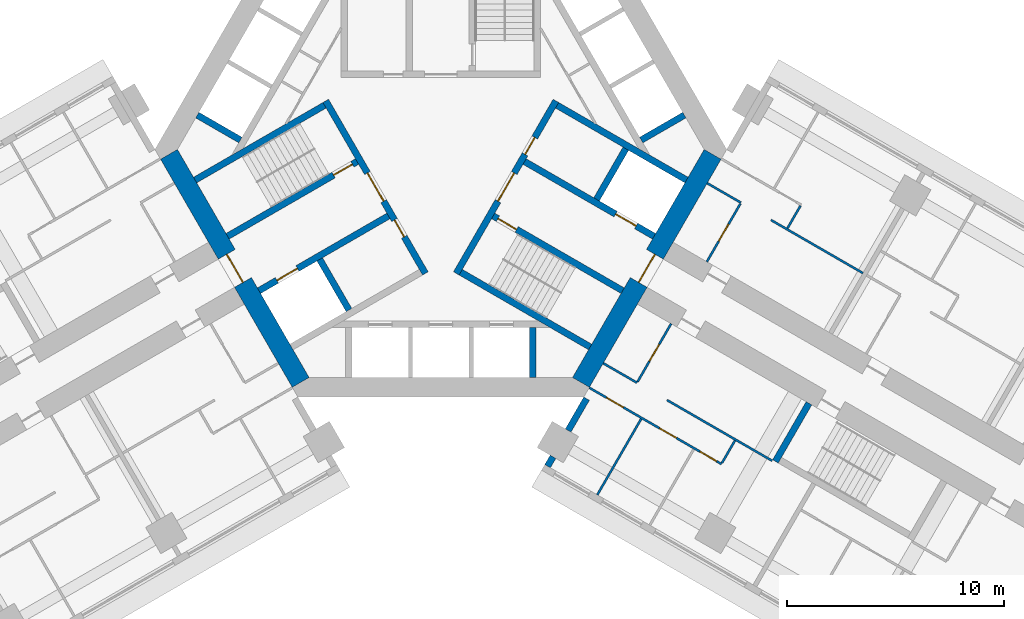
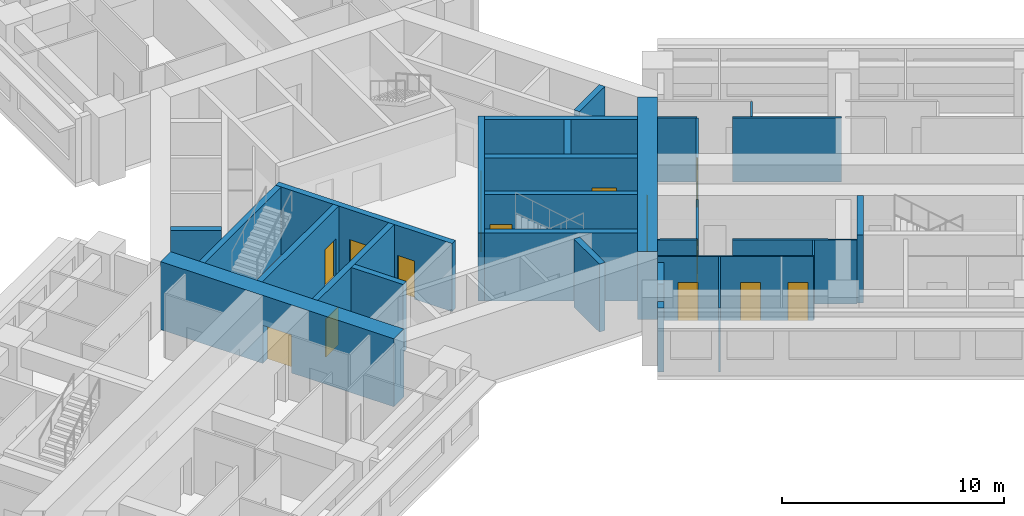
# One storey, part 7 of 16: 29 walls, 15 doors, 15 openings.
"""IFC4 building model written with IfcOpenShell, lengths in metres."""

from ifc_helpers import new_model, si_unit, direction, frame, frame_2d, origin, place, context, subcontext, project, spatial, rectangle, extrude, material, layer, layer_set, type_object, element, fill, save


model = new_model("IFC4")

# Units and contexts
model_context = context("Model", 3, precision=1e-05, world=origin(), true_north=direction((0.0, 1.0)))
body_context = subcontext(model_context, "Body", "Model", "MODEL_VIEW")
ifc_project = project(units=[si_unit("LENGTHUNIT", "METRE"), si_unit("AREAUNIT", "SQUARE_METRE"), si_unit("VOLUMEUNIT", "CUBIC_METRE"), si_unit("PLANEANGLEUNIT", "RADIAN"), si_unit("MASSUNIT", "GRAM", prefix="KILO")], contexts=[model_context])

# Site, building, storey
site_placement = place(None, origin())
site = spatial("IfcSite", under=ifc_project, at=site_placement, CompositionType="ELEMENT")
building_placement = place(site_placement, origin())
building = spatial("IfcBuilding", under=site, at=building_placement, Name="Impinga Residences", CompositionType="ELEMENT")
storey_placement = place(building_placement, frame((0.0, 0.0, 78.5)))
storey = spatial("IfcBuildingStorey", under=building, at=storey_placement, Name="L19", CompositionType="ELEMENT", Elevation=78.5)

# Walls
ifc_material_1 = material(Name="Terracotta rainscreen on blockwork", Category="masonry")
ifc_layer_1 = layer(ifc_material_1, 0.300048828125)
ifc_layer_set_1 = layer_set([ifc_layer_1], Name="EW1 external wall, terracotta rainscreen on blockwork 300")
wall_type_1 = type_object("IfcWallType", Name="EW1 external wall, terracotta rainscreen on blockwork 300", PredefinedType="SOLIDWALL", material=ifc_layer_set_1)
wall_1_placement = place(storey_placement, frame((4.929931640625, -14.624267578125, 0.0), z_axis=(0.0, 0.0, 1.0), x_axis=(0.499919672301, 0.866071776036, 0.0)))
element("IfcWall", 1, at=wall_1_placement, inside=storey, type_object=wall_type_1, Name="External wall EW1 L19", PredefinedType="SOLIDWALL", context=body_context, shape_type="SweptSolid", body=[
    extrude(rectangle(XDim=0.5, YDim=0.300048828125, at=frame_2d((0.25, 0.0))), origin(), (0.0, 0.0, 1.0), 3.530029296875),
])
wall_2_placement = place(storey_placement, frame((5.8798828125, -12.978759765625, 0.0), z_axis=(0.0, 0.0, 1.0), x_axis=(0.500062241894, 0.865989465428, 0.0)))
element("IfcWall", 2, at=wall_2_placement, inside=storey, type_object=wall_type_1, Name="External wall EW1 L19", PredefinedType="SOLIDWALL", context=body_context, shape_type="SweptSolid", body=[
    extrude(rectangle(XDim=1.699951171875, YDim=0.300048828125, at=frame_2d((0.85009765625, 0.0))), origin(), (0.0, 0.0, 1.0), 3.530029296875),
])
ifc_material_2 = material(Name="Gypsum board on steel studs", Category="steel")
ifc_layer_2 = layer(ifc_material_2, 0.10009765625)
ifc_layer_set_2 = layer_set([ifc_layer_2], Name="Gypsum board on steel studs")
wall_type_2 = type_object("IfcWallType", Name="IP1 partition 100", PredefinedType="PARTITIONING", material=ifc_layer_set_2)
wall_3_placement = place(storey_placement, frame((12.300048828125, -1.558837890625, 0.0), z_axis=(0.0, 0.0, 1.0), x_axis=(0.866047807691, -0.499961193289, 0.0)))
element("IfcWall", 3, at=wall_3_placement, inside=storey, type_object=wall_type_2, Name="Partition L19-EA1:DIV0", PredefinedType="PARTITIONING", context=body_context, shape_type="SweptSolid", body=[
    extrude(rectangle(XDim=1.800048828125, YDim=0.10009765625, at=frame_2d((0.89990234375, 0.0))), origin(), (0.0, 0.0, 1.0), 3.530029296875),
])
wall_4_placement = place(storey_placement, frame((15.244384765625, -3.2587890625, 0.0), z_axis=(0.0, 0.0, 1.0), x_axis=(0.866036242063, -0.49998122708, 0.0)))
element("IfcWall", 4, at=wall_4_placement, inside=storey, type_object=wall_type_2, Name="Partition L19-EA1:DIV1", PredefinedType="PARTITIONING", context=body_context, shape_type="SweptSolid", body=[
    extrude(rectangle(XDim=4.900146484375, YDim=0.10009765625, at=frame_2d((2.4501953125, 0.0))), origin(), (0.0, 0.0, 1.0), 3.530029296875),
])
wall_5_placement = place(storey_placement, frame((16.005615234375, -3.640625, 0.0), z_axis=(0.0, 0.0, 1.0), x_axis=(0.500033551112, 0.866006032174, 0.0)))
element("IfcWall", 5, at=wall_5_placement, inside=storey, type_object=wall_type_2, Name="Partition L19-EA1:SE1", PredefinedType="PARTITIONING", context=body_context, shape_type="SweptSolid", body=[
    extrude(rectangle(XDim=1.2001953125, YDim=0.10009765625, at=frame_2d((0.60009765625, 0.0))), origin(), (0.0, 0.0, 1.0), 3.530029296875),
])

# Wall, opening, door
wall_6_placement = place(storey_placement, frame((12.283935546875, -5.186767578125, 0.0), z_axis=(0.0, 0.0, 1.0), x_axis=(0.499967891604, 0.866043940782, 0.0)))
wall_6 = element("IfcWall", 6, at=wall_6_placement, inside=storey, type_object=wall_type_2, Name="Partition L19-EA1:IB1", PredefinedType="PARTITIONING", context=body_context, shape_type="SweptSolid", body=[
    extrude(rectangle(XDim=3.099853515625, YDim=0.10009765625, at=frame_2d((1.5498046875, 0.0))), origin(), (0.0, 0.0, 1.0), 3.530029296875),
])
opening_1_placement = place(wall_6_placement, frame((1.10009765625, 0.0, 0.0)))
opening_1 = element("IfcOpeningElement", 7, at=opening_1_placement, cuts=wall_6, Name="Opening D2", PredefinedType="OPENING", context=body_context, shape_type="SweptSolid", body=[
    extrude(rectangle(XDim=0.89990234375, YDim=2.10009765625, at=frame_2d((0.449951171875, 1.050048828125))), frame((0.0, 0.06005859375, 0.0), z_axis=(0.0, -1.0, 0.0), x_axis=(1.0, 0.0, 0.0)), (0.0, 0.0, 1.0), 0.1201171875),
])
ifc_material_3 = material(Name="Timber door set", Category="wood")
door_type_1 = type_object("IfcDoorType", Name="D2 internal door 900x2100", OperationType="SINGLE_SWING_LEFT", PredefinedType="DOOR", material=ifc_material_3)
door_1_placement = place(opening_1_placement, origin())
door_1 = element("IfcDoor", 8, at=door_1_placement, inside=storey, type_object=door_type_1, Name="Apartment L19-EA1 bathroom door", OperationType="SINGLE_SWING_LEFT", OverallHeight=2.10009765625, OverallWidth=0.89990234375, PredefinedType="DOOR", context=body_context, shape_type="SweptSolid", body=[
    extrude(rectangle(XDim=0.89990234375, YDim=2.10009765625, at=frame_2d((0.449951171875, 1.050048828125))), frame((0.0, 0.02490234375, 0.0), z_axis=(0.0, -1.0, 0.0), x_axis=(1.0, 0.0, 0.0)), (0.0, 0.0, 1.0), 0.050048828125),
])
fill(opening_1, door_1)

# Walls
wall_7_placement = place(storey_placement, frame((7.5, -9.872802734375, 0.0), z_axis=(0.0, 0.0, 1.0), x_axis=(0.866047807691, -0.499961193289, 0.0)))
element("IfcWall", 9, at=wall_7_placement, inside=storey, type_object=wall_type_2, Name="Partition L19-EF1:DIV0", PredefinedType="PARTITIONING", context=body_context, shape_type="SweptSolid", body=[
    extrude(rectangle(XDim=1.800048828125, YDim=0.10009765625, at=frame_2d((0.89990234375, 0.0))), origin(), (0.0, 0.0, 1.0), 3.530029296875),
])
wall_8_placement = place(storey_placement, frame((10.444580078125, -11.57275390625, 0.0), z_axis=(0.0, 0.0, 1.0), x_axis=(0.866015695474, -0.500016814911, 0.0)))
element("IfcWall", 10, at=wall_8_placement, inside=storey, type_object=wall_type_2, Name="Partition L19-EF1:DIV1", PredefinedType="PARTITIONING", context=body_context, shape_type="SweptSolid", body=[
    extrude(rectangle(XDim=5.599853515625, YDim=0.10009765625, at=frame_2d((2.7998046875, 0.0))), origin(), (0.0, 0.0, 1.0), 3.530029296875),
])

# Wall, openings, doors
wall_9_placement = place(storey_placement, frame((6.85009765625, -10.99853515625, 0.0), z_axis=(0.0, 0.0, 1.0), x_axis=(0.866031034943, -0.499990246421, 0.0)))
wall_9 = element("IfcWall", 11, at=wall_9_placement, inside=storey, type_object=wall_type_2, Name="Partition L19-EF1:STRIP", PredefinedType="PARTITIONING", context=body_context, shape_type="SweptSolid", body=[
    extrude(rectangle(XDim=7.050048828125, YDim=0.10009765625, at=frame_2d((3.52490234375, 0.0))), origin(), (0.0, 0.0, 1.0), 3.530029296875),
])
opening_2_placement = place(wall_9_placement, frame((0.925048828125, 0.0, 0.0)))
opening_2 = element("IfcOpeningElement", 12, at=opening_2_placement, cuts=wall_9, Name="Opening D2", PredefinedType="OPENING", context=body_context, shape_type="SweptSolid", body=[
    extrude(rectangle(XDim=0.89990234375, YDim=2.10009765625, at=frame_2d((0.449951171875, 1.050048828125))), frame((0.0, 0.06005859375, 0.0), z_axis=(0.0, -1.0, 0.0), x_axis=(1.0, 0.0, 0.0)), (0.0, 0.0, 1.0), 0.1201171875),
])
opening_3_placement = place(wall_9_placement, frame((3.75, 0.0, 0.0)))
opening_3 = element("IfcOpeningElement", 13, at=opening_3_placement, cuts=wall_9, Name="Opening D2", PredefinedType="OPENING", context=body_context, shape_type="SweptSolid", body=[
    extrude(rectangle(XDim=0.89990234375, YDim=2.10009765625, at=frame_2d((0.449951171875, 1.050048828125))), frame((0.0, 0.06005859375, 0.0), z_axis=(0.0, -1.0, 0.0), x_axis=(1.0, 0.0, 0.0)), (0.0, 0.0, 1.0), 0.1201171875),
])
opening_4_placement = place(wall_9_placement, frame((5.89990234375, 0.0, 0.0)))
opening_4 = element("IfcOpeningElement", 14, at=opening_4_placement, cuts=wall_9, Name="Opening D2", PredefinedType="OPENING", context=body_context, shape_type="SweptSolid", body=[
    extrude(rectangle(XDim=0.89990234375, YDim=2.10009765625, at=frame_2d((0.449951171875, 1.050048828125))), frame((0.0, 0.06005859375, 0.0), z_axis=(0.0, -1.0, 0.0), x_axis=(1.0, 0.0, 0.0)), (0.0, 0.0, 1.0), 0.1201171875),
])
door_2_placement = place(opening_2_placement, origin())
door_2 = element("IfcDoor", 15, at=door_2_placement, inside=storey, type_object=door_type_1, Name="Apartment L19-EF1 room door", OperationType="SINGLE_SWING_LEFT", OverallHeight=2.10009765625, OverallWidth=0.89990234375, PredefinedType="DOOR", context=body_context, shape_type="SweptSolid", body=[
    extrude(rectangle(XDim=0.89990234375, YDim=2.10009765625, at=frame_2d((0.449951171875, 1.050048828125))), frame((0.0, 0.02490234375, 0.0), z_axis=(0.0, -1.0, 0.0), x_axis=(1.0, 0.0, 0.0)), (0.0, 0.0, 1.0), 0.050048828125),
])
fill(opening_2, door_2)
door_3_placement = place(opening_3_placement, origin())
door_3 = element("IfcDoor", 16, at=door_3_placement, inside=storey, type_object=door_type_1, Name="Apartment L19-EF1 room door", OperationType="SINGLE_SWING_RIGHT", OverallHeight=2.10009765625, OverallWidth=0.89990234375, PredefinedType="DOOR", context=body_context, shape_type="SweptSolid", body=[
    extrude(rectangle(XDim=0.89990234375, YDim=2.10009765625, at=frame_2d((0.449951171875, 1.050048828125))), frame((0.0, 0.02490234375, 0.0), z_axis=(0.0, -1.0, 0.0), x_axis=(1.0, 0.0, 0.0)), (0.0, 0.0, 1.0), 0.050048828125),
])
fill(opening_3, door_3)
door_4_placement = place(opening_4_placement, origin())
door_4 = element("IfcDoor", 17, at=door_4_placement, inside=storey, type_object=door_type_1, Name="Apartment L19-EF1 room door", OperationType="SINGLE_SWING_RIGHT", OverallHeight=2.10009765625, OverallWidth=0.89990234375, PredefinedType="DOOR", context=body_context, shape_type="SweptSolid", body=[
    extrude(rectangle(XDim=0.89990234375, YDim=2.10009765625, at=frame_2d((0.449951171875, 1.050048828125))), frame((0.0, 0.02490234375, 0.0), z_axis=(0.0, -1.0, 0.0), x_axis=(1.0, 0.0, 0.0)), (0.0, 0.0, 1.0), 0.050048828125),
])
fill(opening_4, door_4)

# Wall
wall_10_placement = place(storey_placement, frame((13.58056640625, -13.44091796875, 0.0), z_axis=(0.0, 0.0, 1.0), x_axis=(-0.500033551112, -0.866006032174, 0.0)))
element("IfcWall", 18, at=wall_10_placement, inside=storey, type_object=wall_type_2, Name="Partition L19-EF1:SE1", PredefinedType="PARTITIONING", context=body_context, shape_type="SweptSolid", body=[
    extrude(rectangle(XDim=1.2001953125, YDim=0.10009765625, at=frame_2d((0.60009765625, 0.0))), origin(), (0.0, 0.0, 1.0), 3.530029296875),
])

# Wall, opening, door
wall_11_placement = place(storey_placement, frame((10.6337890625, -8.044677734375, 0.0), z_axis=(0.0, 0.0, 1.0), x_axis=(-0.49999285859, -0.86602952684, 0.0)))
wall_11 = element("IfcWall", 19, at=wall_11_placement, inside=storey, type_object=wall_type_2, Name="Partition L19-EF1:IB1", PredefinedType="PARTITIONING", context=body_context, shape_type="SweptSolid", body=[
    extrude(rectangle(XDim=3.10009765625, YDim=0.10009765625, at=frame_2d((1.550048828125, 0.0))), origin(), (0.0, 0.0, 1.0), 3.530029296875),
])
opening_5_placement = place(wall_11_placement, frame((1.10009765625, 0.0, 0.0)))
opening_5 = element("IfcOpeningElement", 20, at=opening_5_placement, cuts=wall_11, Name="Opening D2", PredefinedType="OPENING", context=body_context, shape_type="SweptSolid", body=[
    extrude(rectangle(XDim=0.89990234375, YDim=2.10009765625, at=frame_2d((0.449951171875, 1.050048828125))), frame((0.0, 0.06005859375, 0.0), z_axis=(0.0, -1.0, 0.0), x_axis=(1.0, 0.0, 0.0)), (0.0, 0.0, 1.0), 0.1201171875),
])
door_5_placement = place(opening_5_placement, origin())
door_5 = element("IfcDoor", 21, at=door_5_placement, inside=storey, type_object=door_type_1, Name="Apartment L19-EF1 bathroom door", OperationType="SINGLE_SWING_LEFT", OverallHeight=2.10009765625, OverallWidth=0.89990234375, PredefinedType="DOOR", context=body_context, shape_type="SweptSolid", body=[
    extrude(rectangle(XDim=0.89990234375, YDim=2.10009765625, at=frame_2d((0.449951171875, 1.050048828125))), frame((0.0, 0.02490234375, 0.0), z_axis=(0.0, -1.0, 0.0), x_axis=(1.0, 0.0, 0.0)), (0.0, 0.0, 1.0), 0.050048828125),
])
fill(opening_5, door_5)

# Walls
wall_12_placement = place(storey_placement, frame((9.249755859375, -12.44189453125, 0.0), z_axis=(0.0, 0.0, 1.0), x_axis=(-0.499990325971, -0.866030989016, 0.0)))
element("IfcWall", 22, at=wall_12_placement, inside=storey, type_object=wall_type_2, Name="Partition L19-EF1:OB1", PredefinedType="PARTITIONING", context=body_context, shape_type="SweptSolid", body=[
    extrude(rectangle(XDim=4.0498046875, YDim=0.10009765625, at=frame_2d((2.02490234375, 0.0))), origin(), (0.0, 0.0, 1.0), 3.530029296875),
])
ifc_material_4 = material(Name="Concrete C60/75", Category="concrete")
ifc_layer_3 = layer(ifc_material_4, 0.300048828125)
ifc_layer_set_3 = layer_set([ifc_layer_3], Name="Concrete C60/75")
wall_type_3 = type_object("IfcWallType", Name="SE1 wing stair enclosure wall 300", PredefinedType="SOLIDWALL", material=ifc_layer_set_3)
wall_13_placement = place(storey_placement, frame((16.9990234375, -11.7197265625, 0.0), z_axis=(0.0, 0.0, 1.0), x_axis=(-0.499967891604, -0.866043940782, 0.0)))
element("IfcWall", 23, at=wall_13_placement, inside=storey, type_object=wall_type_3, Name="Stair enclosure wall SE1 E END0 L19", PredefinedType="SOLIDWALL", context=body_context, shape_type="SweptSolid", body=[
    extrude(rectangle(XDim=3.099853515625, YDim=0.300048828125, at=frame_2d((1.5498046875, 0.0))), origin(), (0.0, 0.0, 1.0), 3.75),
])

# Wall, opening, door
ifc_material_5 = material(Name="Concrete C70/85", Category="concrete")
ifc_layer_4 = layer(ifc_material_5, 0.89990234375)
ifc_layer_set_4 = layer_set([ifc_layer_4], Name="Concrete C70/85")
wall_type_4 = type_object("IfcWallType", Name="SW1 core wall 900", PredefinedType="SHEAR", material=ifc_layer_set_4)
wall_14_placement = place(storey_placement, frame((-6.47021484375, -10.756591796875, 0.0), z_axis=(0.0, 0.0, 1.0), x_axis=(-0.499997612506, 0.8660267822, 0.0)))
wall_14 = element("IfcWall", 24, at=wall_14_placement, inside=storey, type_object=wall_type_4, Name="Core wall SW1 W:FACE L19", PredefinedType="SHEAR", context=body_context, shape_type="SweptSolid", body=[
    extrude(rectangle(XDim=12.16064453125, YDim=0.89990234375, at=frame_2d((6.080322265625, 0.0))), origin(), (0.0, 0.0, 1.0), 3.75),
])
opening_6_placement = place(wall_14_placement, frame((5.330322265625, 0.0, 0.0)))
opening_6 = element("IfcOpeningElement", 25, at=opening_6_placement, cuts=wall_14, Name="Opening D4", PredefinedType="OPENING", context=body_context, shape_type="SweptSolid", body=[
    extrude(rectangle(XDim=1.5, YDim=2.10009765625, at=frame_2d((0.75, 1.050048828125))), frame((0.0, 0.4599609375, 0.0), z_axis=(0.0, -1.0, 0.0), x_axis=(1.0, 0.0, 0.0)), (0.0, 0.0, 1.0), 0.919921875),
])
door_type_2 = type_object("IfcDoorType", Name="D4 lobby door pair 1500x2100", OperationType="DOUBLE_DOOR_DOUBLE_SWING", PredefinedType="DOOR", material=ifc_material_3)
door_6_placement = place(opening_6_placement, origin())
door_6 = element("IfcDoor", 26, at=door_6_placement, inside=storey, type_object=door_type_2, Name="Lobby door W", OperationType="DOUBLE_DOOR_DOUBLE_SWING", OverallHeight=2.10009765625, OverallWidth=1.5, PredefinedType="DOOR", context=body_context, shape_type="SweptSolid", body=[
    extrude(rectangle(XDim=1.5, YDim=2.10009765625, at=frame_2d((0.75, 1.050048828125))), frame((0.0, 0.02490234375, 0.0), z_axis=(0.0, -1.0, 0.0), x_axis=(1.0, 0.0, 0.0)), (0.0, 0.0, 1.0), 0.050048828125),
])
fill(opening_6, door_6)

wall_15_placement = place(storey_placement, frame((12.550537109375, -0.22509765625, 0.0), z_axis=(0.0, 0.0, 1.0), x_axis=(-0.499997612506, -0.8660267822, 0.0)))
wall_15 = element("IfcWall", 27, at=wall_15_placement, inside=storey, type_object=wall_type_4, Name="Core wall SW1 E:FACE L19", PredefinedType="SHEAR", context=body_context, shape_type="SweptSolid", body=[
    extrude(rectangle(XDim=12.16064453125, YDim=0.89990234375, at=frame_2d((6.080322265625, 0.0))), origin(), (0.0, 0.0, 1.0), 3.75),
])
opening_7_placement = place(wall_15_placement, frame((5.330322265625, 0.0, 0.0)))
opening_7 = element("IfcOpeningElement", 28, at=opening_7_placement, cuts=wall_15, Name="Opening D4", PredefinedType="OPENING", context=body_context, shape_type="SweptSolid", body=[
    extrude(rectangle(XDim=1.5, YDim=2.10009765625, at=frame_2d((0.75, 1.050048828125))), frame((0.0, 0.4599609375, 0.0), z_axis=(0.0, -1.0, 0.0), x_axis=(1.0, 0.0, 0.0)), (0.0, 0.0, 1.0), 0.919921875),
])
door_7_placement = place(opening_7_placement, origin())
door_7 = element("IfcDoor", 29, at=door_7_placement, inside=storey, type_object=door_type_2, Name="Lobby door E", OperationType="DOUBLE_DOOR_DOUBLE_SWING", OverallHeight=2.10009765625, OverallWidth=1.5, PredefinedType="DOOR", context=body_context, shape_type="SweptSolid", body=[
    extrude(rectangle(XDim=1.5, YDim=2.10009765625, at=frame_2d((0.75, 1.050048828125))), frame((0.0, 0.02490234375, 0.0), z_axis=(0.0, -1.0, 0.0), x_axis=(1.0, 0.0, 0.0)), (0.0, 0.0, 1.0), 0.050048828125),
])
fill(opening_7, door_7)

# Wall, openings, doors
ifc_layer_5 = layer(ifc_material_5, 0.300048828125)
ifc_layer_set_5 = layer_set([ifc_layer_5], Name="Concrete C70/85")
wall_type_5 = type_object("IfcWallType", Name="SW5 core inner wall, stairs, shafts and lobbies 300", PredefinedType="SHEAR", material=ifc_layer_set_5)
wall_16_placement = place(storey_placement, frame((-0.7138671875, -5.7236328125, 0.0), z_axis=(0.0, 0.0, 1.0), x_axis=(-0.499995050369, 0.866028261437, 0.0)))
wall_16 = element("IfcWall", 30, at=wall_16_placement, inside=storey, type_object=wall_type_5, Name="Core wall SW5 W:ZONE L19", PredefinedType="SHEAR", context=body_context, shape_type="SweptSolid", body=[
    extrude(rectangle(XDim=9.19970703125, YDim=0.300048828125, at=frame_2d((4.599853515625, 0.0))), origin(), (0.0, 0.0, 1.0), 3.75),
])
opening_8_placement = place(wall_16_placement, frame((3.85009765625, 0.0, 0.0)))
opening_8 = element("IfcOpeningElement", 31, at=opening_8_placement, cuts=wall_16, Name="Opening D4", PredefinedType="OPENING", context=body_context, shape_type="SweptSolid", body=[
    extrude(rectangle(XDim=1.5, YDim=2.10009765625, at=frame_2d((0.75, 1.050048828125))), frame((0.0, 0.159912109375, 0.0), z_axis=(0.0, -1.0, 0.0), x_axis=(1.0, 0.0, 0.0)), (0.0, 0.0, 1.0), 0.320068359375),
])
opening_9_placement = place(wall_16_placement, frame((1.949951171875, 0.0, 0.0)))
opening_9 = element("IfcOpeningElement", 32, at=opening_9_placement, cuts=wall_16, Name="Opening D6", PredefinedType="OPENING", context=body_context, shape_type="SweptSolid", body=[
    extrude(rectangle(XDim=0.89990234375, YDim=2.10009765625, at=frame_2d((0.449951171875, 1.050048828125))), frame((0.0, 0.159912109375, 0.0), z_axis=(0.0, -1.0, 0.0), x_axis=(1.0, 0.0, 0.0)), (0.0, 0.0, 1.0), 0.320068359375),
])
door_8_placement = place(opening_8_placement, origin())
door_8 = element("IfcDoor", 33, at=door_8_placement, inside=storey, type_object=door_type_2, Name="Firefighting lobby door W", OperationType="DOUBLE_DOOR_DOUBLE_SWING", OverallHeight=2.10009765625, OverallWidth=1.5, PredefinedType="DOOR", context=body_context, shape_type="SweptSolid", body=[
    extrude(rectangle(XDim=1.5, YDim=2.10009765625, at=frame_2d((0.75, 1.050048828125))), frame((0.0, 0.02490234375, 0.0), z_axis=(0.0, -1.0, 0.0), x_axis=(1.0, 0.0, 0.0)), (0.0, 0.0, 1.0), 0.050048828125),
])
fill(opening_8, door_8)
door_type_3 = type_object("IfcDoorType", Name="D6 riser and store door 900x2100", OperationType="SINGLE_SWING_LEFT", PredefinedType="DOOR", material=ifc_material_3)
door_9_placement = place(opening_9_placement, origin())
door_9 = element("IfcDoor", 34, at=door_9_placement, inside=storey, type_object=door_type_3, Name="Riser door W", OperationType="SINGLE_SWING_LEFT", OverallHeight=2.10009765625, OverallWidth=0.89990234375, PredefinedType="DOOR", context=body_context, shape_type="SweptSolid", body=[
    extrude(rectangle(XDim=0.89990234375, YDim=2.10009765625, at=frame_2d((0.449951171875, 1.050048828125))), frame((0.0, 0.02490234375, 0.0), z_axis=(0.0, -1.0, 0.0), x_axis=(1.0, 0.0, 0.0)), (0.0, 0.0, 1.0), 0.050048828125),
])
fill(opening_9, door_9)

# Wall, opening, door
wall_17_placement = place(storey_placement, frame((-3.86865234375, -0.559326171875, 0.0), z_axis=(0.0, 0.0, 1.0), x_axis=(-0.86602711848, -0.499997030048, 0.0)))
wall_17 = element("IfcWall", 35, at=wall_17_placement, inside=storey, type_object=wall_type_5, Name="Core wall SW5 W:ST-IN L19", PredefinedType="SHEAR", context=body_context, shape_type="SweptSolid", body=[
    extrude(rectangle(XDim=6.9013671875, YDim=0.300048828125, at=frame_2d((3.45068359375, 0.0))), origin(), (0.0, 0.0, 1.0), 3.75),
])
opening_10_placement = place(wall_17_placement, frame((0.25, 0.0, 0.0)))
opening_10 = element("IfcOpeningElement", 36, at=opening_10_placement, cuts=wall_17, Name="Opening D5", PredefinedType="OPENING", context=body_context, shape_type="SweptSolid", body=[
    extrude(rectangle(XDim=1.0, YDim=2.10009765625, at=frame_2d((0.5, 1.050048828125))), frame((0.0, 0.159912109375, 0.0), z_axis=(0.0, -1.0, 0.0), x_axis=(1.0, 0.0, 0.0)), (0.0, 0.0, 1.0), 0.320068359375),
])
door_type_4 = type_object("IfcDoorType", Name="D5 stair door 1000x2100", OperationType="SINGLE_SWING_LEFT", PredefinedType="DOOR", material=ifc_material_3)
door_10_placement = place(opening_10_placement, origin())
door_10 = element("IfcDoor", 37, at=door_10_placement, inside=storey, type_object=door_type_4, Name="Stair door W", OperationType="SINGLE_SWING_LEFT", OverallHeight=2.10009765625, OverallWidth=1.0, PredefinedType="DOOR", context=body_context, shape_type="SweptSolid", body=[
    extrude(rectangle(XDim=1.0, YDim=2.10009765625, at=frame_2d((0.5, 1.050048828125))), frame((0.0, 0.02490234375, 0.0), z_axis=(0.0, -1.0, 0.0), x_axis=(1.0, 0.0, 0.0)), (0.0, 0.0, 1.0), 0.050048828125),
])
fill(opening_10, door_10)

# Wall
wall_18_placement = place(storey_placement, frame((-5.36865234375, 2.038818359375, 0.0), z_axis=(0.0, 0.0, 1.0), x_axis=(-0.86602711848, -0.499997030048, 0.0)))
element("IfcWall", 38, at=wall_18_placement, inside=storey, type_object=wall_type_5, Name="Core wall SW5 W:ST-OUT L19", PredefinedType="SHEAR", context=body_context, shape_type="SweptSolid", body=[
    extrude(rectangle(XDim=6.9013671875, YDim=0.300048828125, at=frame_2d((3.45068359375, 0.0))), origin(), (0.0, 0.0, 1.0), 3.75),
])

# Wall, opening, door
wall_19_placement = place(storey_placement, frame((-2.418701171875, -3.07080078125, 0.0), z_axis=(0.0, 0.0, 1.0), x_axis=(-0.86602711848, -0.499997030048, 0.0)))
wall_19 = element("IfcWall", 39, at=wall_19_placement, inside=storey, type_object=wall_type_5, Name="Core wall SW5 W:FF-IN L19", PredefinedType="SHEAR", context=body_context, shape_type="SweptSolid", body=[
    extrude(rectangle(XDim=6.9013671875, YDim=0.300048828125, at=frame_2d((3.45068359375, 0.0))), origin(), (0.0, 0.0, 1.0), 3.75),
])
opening_11_placement = place(wall_19_placement, frame((4.85009765625, 0.0, 0.0)))
opening_11 = element("IfcOpeningElement", 40, at=opening_11_placement, cuts=wall_19, Name="Opening LD2", PredefinedType="OPENING", context=body_context, shape_type="SweptSolid", body=[
    extrude(rectangle(XDim=1.10009765625, YDim=2.10009765625, at=frame_2d((0.550048828125, 1.050048828125))), frame((0.0, 0.159912109375, 0.0), z_axis=(0.0, -1.0, 0.0), x_axis=(1.0, 0.0, 0.0)), (0.0, 0.0, 1.0), 0.320068359375),
])
ifc_material_6 = material(Name="Steel lift landing door", Category="steel")
door_type_5 = type_object("IfcDoorType", Name="LD2 firefighting lift landing door 1100x2100", OperationType="DOUBLE_DOOR_SLIDING", PredefinedType="DOOR", material=ifc_material_6)
door_11_placement = place(opening_11_placement, origin())
door_11 = element("IfcDoor", 41, at=door_11_placement, inside=storey, type_object=door_type_5, Name="Firefighting lift landing door F2", OperationType="DOUBLE_DOOR_SLIDING", OverallHeight=2.10009765625, OverallWidth=1.10009765625, PredefinedType="DOOR", context=body_context, shape_type="SweptSolid", body=[
    extrude(rectangle(XDim=1.10009765625, YDim=2.10009765625, at=frame_2d((0.550048828125, 1.050048828125))), frame((0.0, 0.02490234375, 0.0), z_axis=(0.0, -1.0, 0.0), x_axis=(1.0, 0.0, 0.0)), (0.0, 0.0, 1.0), 0.050048828125),
])
fill(opening_11, door_11)

# Wall
wall_20_placement = place(storey_placement, frame((-4.2412109375, -7.413818359375, 0.0), z_axis=(0.0, 0.0, 1.0), x_axis=(-0.500048589285, 0.86599734893, 0.0)))
element("IfcWall", 42, at=wall_20_placement, inside=storey, type_object=wall_type_5, Name="Core wall SW5 W:FF-RS L19", PredefinedType="SHEAR", context=body_context, shape_type="SweptSolid", body=[
    extrude(rectangle(XDim=2.699951171875, YDim=0.300048828125, at=frame_2d((1.35009765625, 0.0))), origin(), (0.0, 0.0, 1.0), 3.75),
])

# Wall, openings, doors
wall_21_placement = place(storey_placement, frame((5.313720703125, 2.24365234375, 0.0), z_axis=(0.0, 0.0, 1.0), x_axis=(-0.499995050369, -0.866028261437, 0.0)))
wall_21 = element("IfcWall", 43, at=wall_21_placement, inside=storey, type_object=wall_type_5, Name="Core wall SW5 E:ZONE L19", PredefinedType="SHEAR", context=body_context, shape_type="SweptSolid", body=[
    extrude(rectangle(XDim=9.19970703125, YDim=0.300048828125, at=frame_2d((4.599853515625, 0.0))), origin(), (0.0, 0.0, 1.0), 3.75),
])
opening_12_placement = place(wall_21_placement, frame((3.85009765625, 0.0, 0.0)))
opening_12 = element("IfcOpeningElement", 44, at=opening_12_placement, cuts=wall_21, Name="Opening D4", PredefinedType="OPENING", context=body_context, shape_type="SweptSolid", body=[
    extrude(rectangle(XDim=1.5, YDim=2.10009765625, at=frame_2d((0.75, 1.050048828125))), frame((0.0, 0.159912109375, 0.0), z_axis=(0.0, -1.0, 0.0), x_axis=(1.0, 0.0, 0.0)), (0.0, 0.0, 1.0), 0.320068359375),
])
opening_13_placement = place(wall_21_placement, frame((1.949951171875, 0.0, 0.0)))
opening_13 = element("IfcOpeningElement", 45, at=opening_13_placement, cuts=wall_21, Name="Opening D6", PredefinedType="OPENING", context=body_context, shape_type="SweptSolid", body=[
    extrude(rectangle(XDim=0.89990234375, YDim=2.10009765625, at=frame_2d((0.449951171875, 1.050048828125))), frame((0.0, 0.159912109375, 0.0), z_axis=(0.0, -1.0, 0.0), x_axis=(1.0, 0.0, 0.0)), (0.0, 0.0, 1.0), 0.320068359375),
])
door_12_placement = place(opening_12_placement, origin())
door_12 = element("IfcDoor", 46, at=door_12_placement, inside=storey, type_object=door_type_2, Name="Firefighting lobby door E", OperationType="DOUBLE_DOOR_DOUBLE_SWING", OverallHeight=2.10009765625, OverallWidth=1.5, PredefinedType="DOOR", context=body_context, shape_type="SweptSolid", body=[
    extrude(rectangle(XDim=1.5, YDim=2.10009765625, at=frame_2d((0.75, 1.050048828125))), frame((0.0, 0.02490234375, 0.0), z_axis=(0.0, -1.0, 0.0), x_axis=(1.0, 0.0, 0.0)), (0.0, 0.0, 1.0), 0.050048828125),
])
fill(opening_12, door_12)
door_13_placement = place(opening_13_placement, origin())
door_13 = element("IfcDoor", 47, at=door_13_placement, inside=storey, type_object=door_type_3, Name="Riser door E", OperationType="SINGLE_SWING_LEFT", OverallHeight=2.10009765625, OverallWidth=0.89990234375, PredefinedType="DOOR", context=body_context, shape_type="SweptSolid", body=[
    extrude(rectangle(XDim=0.89990234375, YDim=2.10009765625, at=frame_2d((0.449951171875, 1.050048828125))), frame((0.0, 0.02490234375, 0.0), z_axis=(0.0, -1.0, 0.0), x_axis=(1.0, 0.0, 0.0)), (0.0, 0.0, 1.0), 0.050048828125),
])
fill(opening_13, door_13)

# Wall, opening, door
wall_22_placement = place(storey_placement, frame((2.418701171875, -3.07080078125, 0.0), z_axis=(0.0, 0.0, 1.0), x_axis=(0.86602711848, -0.499997030048, 0.0)))
wall_22 = element("IfcWall", 48, at=wall_22_placement, inside=storey, type_object=wall_type_5, Name="Core wall SW5 E:ST-IN L19", PredefinedType="SHEAR", context=body_context, shape_type="SweptSolid", body=[
    extrude(rectangle(XDim=6.9013671875, YDim=0.300048828125, at=frame_2d((3.45068359375, 0.0))), origin(), (0.0, 0.0, 1.0), 3.75),
])
opening_14_placement = place(wall_22_placement, frame((0.25, 0.0, 0.0)))
opening_14 = element("IfcOpeningElement", 49, at=opening_14_placement, cuts=wall_22, Name="Opening D5", PredefinedType="OPENING", context=body_context, shape_type="SweptSolid", body=[
    extrude(rectangle(XDim=1.0, YDim=2.10009765625, at=frame_2d((0.5, 1.050048828125))), frame((0.0, 0.159912109375, 0.0), z_axis=(0.0, -1.0, 0.0), x_axis=(1.0, 0.0, 0.0)), (0.0, 0.0, 1.0), 0.320068359375),
])
door_14_placement = place(opening_14_placement, origin())
door_14 = element("IfcDoor", 50, at=door_14_placement, inside=storey, type_object=door_type_4, Name="Stair door E", OperationType="SINGLE_SWING_LEFT", OverallHeight=2.10009765625, OverallWidth=1.0, PredefinedType="DOOR", context=body_context, shape_type="SweptSolid", body=[
    extrude(rectangle(XDim=1.0, YDim=2.10009765625, at=frame_2d((0.5, 1.050048828125))), frame((0.0, 0.02490234375, 0.0), z_axis=(0.0, -1.0, 0.0), x_axis=(1.0, 0.0, 0.0)), (0.0, 0.0, 1.0), 0.050048828125),
])
fill(opening_14, door_14)

# Wall
wall_23_placement = place(storey_placement, frame((0.918701171875, -5.668701171875, 0.0), z_axis=(0.0, 0.0, 1.0), x_axis=(0.866011800373, -0.500023561059, 0.0)))
element("IfcWall", 51, at=wall_23_placement, inside=storey, type_object=wall_type_5, Name="Core wall SW5 E:ST-OUT L19", PredefinedType="SHEAR", context=body_context, shape_type="SweptSolid", body=[
    extrude(rectangle(XDim=6.901611328125, YDim=0.300048828125, at=frame_2d((3.45068359375, 0.0))), origin(), (0.0, 0.0, 1.0), 3.75),
])

# Wall, opening, door
wall_24_placement = place(storey_placement, frame((3.86865234375, -0.559326171875, 0.0), z_axis=(0.0, 0.0, 1.0), x_axis=(0.86602711848, -0.499997030048, 0.0)))
wall_24 = element("IfcWall", 52, at=wall_24_placement, inside=storey, type_object=wall_type_5, Name="Core wall SW5 E:FF-IN L19", PredefinedType="SHEAR", context=body_context, shape_type="SweptSolid", body=[
    extrude(rectangle(XDim=6.9013671875, YDim=0.300048828125, at=frame_2d((3.45068359375, 0.0))), origin(), (0.0, 0.0, 1.0), 3.75),
])
opening_15_placement = place(wall_24_placement, frame((4.85009765625, 0.0, 0.0)))
opening_15 = element("IfcOpeningElement", 53, at=opening_15_placement, cuts=wall_24, Name="Opening LD2", PredefinedType="OPENING", context=body_context, shape_type="SweptSolid", body=[
    extrude(rectangle(XDim=1.10009765625, YDim=2.10009765625, at=frame_2d((0.550048828125, 1.050048828125))), frame((0.0, 0.159912109375, 0.0), z_axis=(0.0, -1.0, 0.0), x_axis=(1.0, 0.0, 0.0)), (0.0, 0.0, 1.0), 0.320068359375),
])
door_15_placement = place(opening_15_placement, origin())
door_15 = element("IfcDoor", 54, at=door_15_placement, inside=storey, type_object=door_type_5, Name="Firefighting lift landing door F3", OperationType="DOUBLE_DOOR_SLIDING", OverallHeight=2.10009765625, OverallWidth=1.10009765625, PredefinedType="DOOR", context=body_context, shape_type="SweptSolid", body=[
    extrude(rectangle(XDim=1.10009765625, YDim=2.10009765625, at=frame_2d((0.550048828125, 1.050048828125))), frame((0.0, 0.02490234375, 0.0), z_axis=(0.0, -1.0, 0.0), x_axis=(1.0, 0.0, 0.0)), (0.0, 0.0, 1.0), 0.050048828125),
])
fill(opening_15, door_15)

# Walls
wall_25_placement = place(storey_placement, frame((5.36865234375, 2.038818359375, 0.0), z_axis=(0.0, 0.0, 1.0), x_axis=(0.86602711848, -0.499997030048, 0.0)))
element("IfcWall", 55, at=wall_25_placement, inside=storey, type_object=wall_type_5, Name="Core wall SW5 E:FF-OUT L19", PredefinedType="SHEAR", context=body_context, shape_type="SweptSolid", body=[
    extrude(rectangle(XDim=6.9013671875, YDim=0.300048828125, at=frame_2d((3.45068359375, 0.0))), origin(), (0.0, 0.0, 1.0), 3.75),
])
wall_26_placement = place(storey_placement, frame((8.541259765625, 0.033935546875, 0.0), z_axis=(0.0, 0.0, 1.0), x_axis=(-0.50000943426, -0.866019956843, 0.0)))
element("IfcWall", 56, at=wall_26_placement, inside=storey, type_object=wall_type_5, Name="Core wall SW5 E:FF-RS L19", PredefinedType="SHEAR", context=body_context, shape_type="SweptSolid", body=[
    extrude(rectangle(XDim=2.7001953125, YDim=0.300048828125, at=frame_2d((1.35009765625, 0.0))), origin(), (0.0, 0.0, 1.0), 3.75),
])
for number, where, z_axis, x_axis, name in (
    (57, (4.25, -8.2314453125, 0.0), (0.0, 0.0, 1.0), (0.0, -1.0, 0.0), "Core wall SW5 N:BANK-L L19"),
    (58, (9.253662109375, 0.43505859375, 0.0), (0.0, 0.0, 1.0), (0.866007057882, 0.500031774688, 0.0), "Core wall SW5 W:BANK-R L19"),
    (59, (-9.253662109375, 0.43505859375, 0.0), (0.0, 0.0, 1.0), (-0.866007057882, 0.500031774688, 0.0), "Core wall SW5 E:BANK-L L19"),
):
    element("IfcWall", number, at=place(storey_placement, frame(where, z_axis=z_axis, x_axis=x_axis)), inside=storey, type_object=wall_type_5, Name=name, PredefinedType="SHEAR", context=body_context, shape_type="SweptSolid", body=[
        extrude(rectangle(XDim=2.300048828125, YDim=0.300048828125, at=frame_2d((1.14990234375, 0.0))), origin(), (0.0, 0.0, 1.0), 3.75),
    ])

save(model, "model.ifc")
